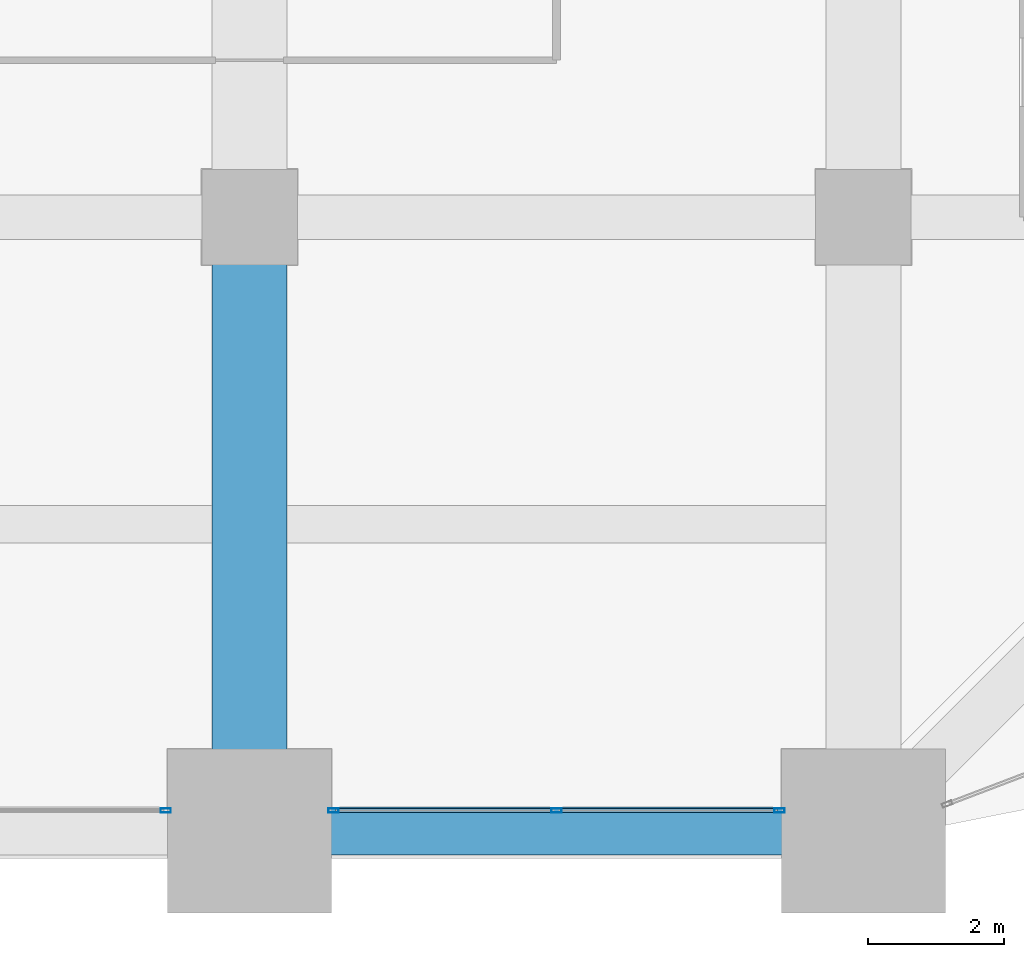
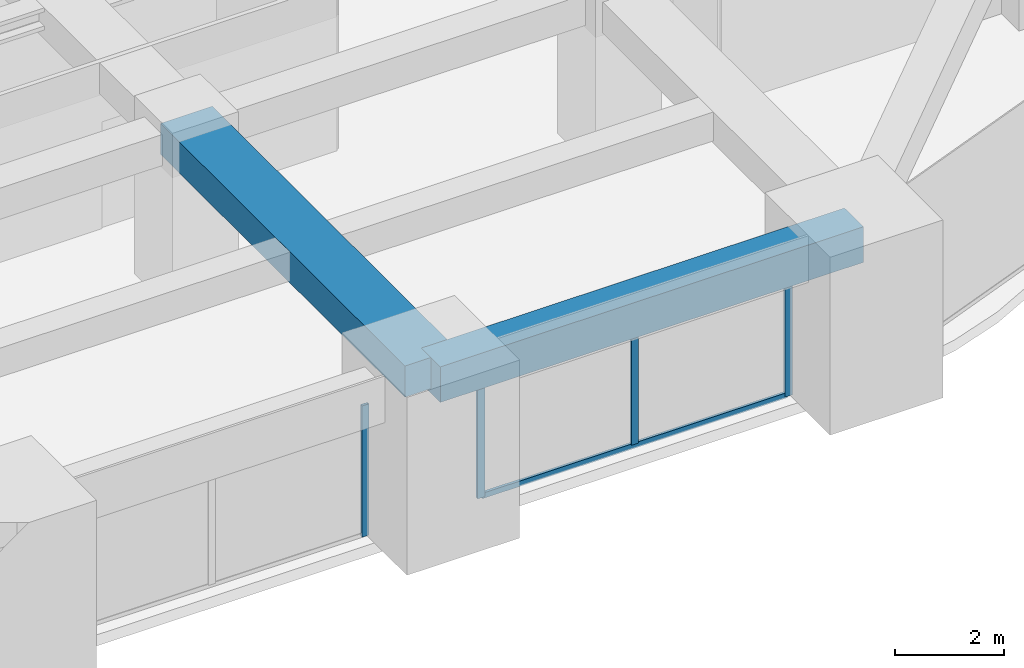
# One storey, part 13 of 32: 5 members, 2 beams, 2 elements without a shape of their own.
"""IFC4 building model written with IfcOpenShell, lengths in metres."""

import ifcopenshell
import ifcopenshell.guid

model = None  # the IFC model being written
_history = None  # IfcOwnerHistory: only IFC2X3 demands one
_inside = {}  # id of a spatial element -> (the spatial element, [elements in it])
_under = {}  # id of a project, library or spatial element -> (it, [spatial elements below it])
_declared = {}  # id of a project -> (the project, [libraries it declares])
_typed = {}  # id of a type object -> (the type object, [elements of that type])
_made_of = {}  # id of a material, layer set ... -> (it, [elements and type objects made of it])


def new_model(schema):
    """Start an empty IFC model of exactly this schema.

    Asked for "IFC4X3", IfcOpenShell would pick the latest addendum, in which some entities
    have other attributes; the version numbers below select the first issue.
    IFC2X3 requires an IfcOwnerHistory on every rooted entity: one is made here for all.
    """
    global model, _history
    if schema == "IFC4X3":
        model = ifcopenshell.file(schema_version=(4, 3, 0, 0))
    else:
        model = ifcopenshell.file(schema=schema)
    _inside.clear()
    _under.clear()
    _declared.clear()
    _typed.clear()
    _made_of.clear()
    _history = None
    if model.schema == "IFC2X3":
        org = make("IfcOrganization", Name="unknown")
        user = make(
            "IfcPersonAndOrganization",
            ThePerson=make("IfcPerson", FamilyName="unknown"),
            TheOrganization=org,
        )
        app = make(
            "IfcApplication",
            ApplicationDeveloper=org,
            Version="unknown",
            ApplicationFullName="unknown",
            ApplicationIdentifier="unknown",
        )
        _history = make(
            "IfcOwnerHistory",
            OwningUser=user,
            OwningApplication=app,
            ChangeAction="ADDED",
            CreationDate=0,
        )
    return model


def make(cls, **values):
    """One entity of the class cls with the attributes given. An attribute that is None is left unset."""
    return model.create_entity(
        cls, **{name: value for name, value in values.items() if value is not None}
    )


def rooted(cls, **values):
    """An entity with a GlobalId (a new one), such as an element, a storey or a relation."""
    return make(cls, GlobalId=ifcopenshell.guid.new(), OwnerHistory=_history, **values)


def si_unit(unit_type, name, prefix=None):
    """IfcSIUnit, for example si_unit("LENGTHUNIT", "METRE", prefix="MILLI")."""
    return make("IfcSIUnit", UnitType=unit_type, Prefix=prefix, Name=name)


def assignment(units):
    """IfcUnitAssignment: the units of a project."""
    return None if units is None else make("IfcUnitAssignment", Units=units)


def point(xyz):
    """IfcCartesianPoint."""
    return None if xyz is None else make("IfcCartesianPoint", Coordinates=xyz)


def direction(xyz):
    """IfcDirection."""
    return None if xyz is None else make("IfcDirection", DirectionRatios=xyz)


def frame(location, z_axis=None, x_axis=None):
    """IfcAxis2Placement3D, a coordinate frame: its origin and axes. An axis left out is left unset."""
    return make(
        "IfcAxis2Placement3D",
        Location=point(location),
        Axis=direction(z_axis),
        RefDirection=direction(x_axis),
    )


def frame_2d(location, x_axis=None):
    """IfcAxis2Placement2D, a coordinate frame in the plane: its origin and x axis."""
    return make(
        "IfcAxis2Placement2D", Location=point(location), RefDirection=direction(x_axis)
    )


def origin():
    """The frame at (0, 0, 0) with its axes left unset."""
    return frame((0.0, 0.0, 0.0))


def origin_2d():
    """The frame at (0, 0) in the plane with its x axis left unset."""
    return frame_2d((0.0, 0.0))


def place(relative_to, where):
    """IfcLocalPlacement: puts the frame where relative to a parent placement (None: the world)."""
    return make(
        "IfcLocalPlacement", PlacementRelTo=relative_to, RelativePlacement=where
    )


def context(
    kind, dimensions, precision=None, world=None, true_north=None, identifier=None
):
    """IfcGeometricRepresentationContext, for example the 3D "Model" context."""
    return make(
        "IfcGeometricRepresentationContext",
        ContextIdentifier=identifier,
        ContextType=kind,
        CoordinateSpaceDimension=dimensions,
        Precision=precision,
        WorldCoordinateSystem=world,
        TrueNorth=true_north,
    )


def subcontext(parent, identifier, kind, view, scale=None):
    """IfcGeometricRepresentationSubContext, for example "Body" below "Model"."""
    return make(
        "IfcGeometricRepresentationSubContext",
        ContextIdentifier=identifier,
        ContextType=kind,
        ParentContext=parent,
        TargetScale=scale,
        TargetView=view,
    )


def project(units=None, contexts=None):
    """IfcProject with its units and contexts."""
    return rooted(
        "IfcProject",
        Name="project",
        RepresentationContexts=contexts,
        UnitsInContext=assignment(units),
    )


def spatial(cls, under=None, at=None, **own):
    """A site, building, storey or space (cls), placed at a placement, below another one or the project."""
    s = rooted(cls, ObjectPlacement=at, **own)
    if under is not None:
        _under.setdefault(under.id(), (under, []))[1].append(s)
    return s


def profile(cls, at=None, kind="AREA", **sizes):
    """A parametric profile (cls). Its sizes go by their IFC names, for example OverallWidth=200.0."""
    return make(cls, ProfileType=kind, Position=at, **sizes)


def rectangle(**sizes):
    """IfcRectangleProfileDef."""
    return profile("IfcRectangleProfileDef", **sizes)


def hollow_rectangle(**sizes):
    """IfcRectangleHollowProfileDef."""
    return profile("IfcRectangleHollowProfileDef", **sizes)


def extrude(swept, where, along, depth):
    """IfcExtrudedAreaSolid: the profile swept, set in the frame where, extruded along a direction by depth."""
    return make(
        "IfcExtrudedAreaSolid",
        SweptArea=swept,
        Position=where,
        ExtrudedDirection=direction(along),
        Depth=depth,
    )


def shape(context_of_items, identifier, shape_type, items):
    """IfcShapeRepresentation: the items that make up one representation, for example the "Body"."""
    return make(
        "IfcShapeRepresentation",
        ContextOfItems=context_of_items,
        RepresentationIdentifier=identifier,
        RepresentationType=shape_type,
        Items=items,
    )


def material(Name=None, Category=None):
    """IfcMaterial."""
    return make("IfcMaterial", Name=Name, Category=Category)


def material_profile(
    of_material, cross_section, Name=None, Category=None, Priority=None
):
    """IfcMaterialProfile: a cross section and its material."""
    return make(
        "IfcMaterialProfile",
        Name=Name,
        Material=of_material,
        Profile=cross_section,
        Priority=Priority,
        Category=Category,
    )


def profile_set(profiles, Name=None, composite=None):
    """IfcMaterialProfileSet."""
    return make(
        "IfcMaterialProfileSet",
        Name=Name,
        MaterialProfiles=profiles,
        CompositeProfile=composite,
    )


def made_of(thing, what):
    """Note that an element or type object is made of a material, layer set ...; save() writes the relation."""
    if what is not None:
        _made_of.setdefault(what.id(), (what, []))[1].append(thing)
    return thing


def type_object(cls, material=None, **own):
    """A type object (cls), such as IfcWallType, which elements share."""
    return made_of(rooted(cls, **own), material)


def element(
    cls,
    number,
    at=None,
    inside=None,
    cuts=None,
    type_object=None,
    material=None,
    context=None,
    identifier="Body",
    shape_type=None,
    held_by="IfcProductDefinitionShape",
    body=None,
    shapes=None,
    **own,
):
    """One element of the class cls, such as IfcWall. Its Tag is "e" and its number.

    at: its placement. inside: the storey or other place that contains it. cuts: it is an
    opening in that element (IfcRelVoidsElement). A single representation is given by context,
    identifier, shape_type and body (its items); several are given by shapes. held_by: the class
    of the entity that holds the representations. save() writes the other relations.
    """
    e = rooted(cls, Tag="e%d" % number, ObjectPlacement=at, **own)
    if body is not None:
        shapes = [shape(context, identifier, shape_type, body)]
    if shapes is not None:
        e.Representation = make(held_by, Representations=shapes)
    if inside is not None:
        _inside.setdefault(inside.id(), (inside, []))[1].append(e)
    if cuts is not None:
        rooted(
            "IfcRelVoidsElement", RelatingBuildingElement=cuts, RelatedOpeningElement=e
        )
    if type_object is not None:
        _typed.setdefault(type_object.id(), (type_object, []))[1].append(e)
    return made_of(e, material)


def aggregate(whole, parts):
    """IfcRelAggregates: a whole, such as a stair, and the parts it consists of."""
    return rooted("IfcRelAggregates", RelatingObject=whole, RelatedObjects=parts)


def save(model, path):
    """Write the relations noted so far, then the file.

    IfcRelAggregates (storeys below a building ...), IfcRelContainedInSpatialStructure (elements
    in a storey), IfcRelDefinesByType, IfcRelAssociatesMaterial and IfcRelDeclares: one each for
    every whole, place, type object, material and project.
    """
    for whole, parts in _under.values():
        aggregate(whole, parts)
    for where, things in _inside.values():
        rooted(
            "IfcRelContainedInSpatialStructure",
            RelatedElements=things,
            RelatingStructure=where,
        )
    for kind, things in _typed.values():
        rooted("IfcRelDefinesByType", RelatedObjects=things, RelatingType=kind)
    for what, things in _made_of.values():
        rooted("IfcRelAssociatesMaterial", RelatedObjects=things, RelatingMaterial=what)
    for by, libraries in _declared.values():
        rooted("IfcRelDeclares", RelatingContext=by, RelatedDefinitions=libraries)
    model.write(path)


model = new_model("IFC4")

# Units and contexts
model_context = context("Model", 3, precision=1e-05, world=origin(), true_north=direction((0.0, 1.0)))
body_context = subcontext(model_context, "Body", "Model", "MODEL_VIEW")
ifc_project = project(units=[si_unit("LENGTHUNIT", "METRE"), si_unit("AREAUNIT", "SQUARE_METRE"), si_unit("VOLUMEUNIT", "CUBIC_METRE"), si_unit("PLANEANGLEUNIT", "RADIAN"), si_unit("MASSUNIT", "GRAM", prefix="KILO")], contexts=[model_context])

# Site, building, storey
site_placement = place(None, origin())
site = spatial("IfcSite", under=ifc_project, at=site_placement, CompositionType="ELEMENT")
building_placement = place(site_placement, origin())
building = spatial("IfcBuilding", under=site, at=building_placement, Name="Zorevar Civic Tower", CompositionType="ELEMENT")
storey_placement = place(building_placement, frame((0.0, 0.0, 198.199951171875)))
storey = spatial("IfcBuildingStorey", under=building, at=storey_placement, Name="L48", CompositionType="ELEMENT", Elevation=198.199951171875)

# Beam
ifc_material_1 = material(Name="Concrete C50/60", Category="concrete")
ifc_material_profile_1 = material_profile(ifc_material_1, rectangle(XDim=1.10009765625, YDim=0.699951171875, at=origin_2d()), Name="RC 1100x700")
ifc_profile_set_1 = profile_set([ifc_material_profile_1], Name="Concrete C50/60")
beam_type_1 = type_object("IfcBeamType", Name="Beam RC 1100x700", PredefinedType="BEAM", material=ifc_profile_set_1)
beam_1_placement = place(storey_placement, frame((36.0, 0.0, 3.400146484375), z_axis=(0.0, 1.0, 0.0), x_axis=(-1.0, 0.0, 0.0)))
element("IfcBeam", 1, at=beam_1_placement, inside=storey, type_object=beam_type_1, Name="Girder L49", PredefinedType="BEAM", context=body_context, shape_type="SweptSolid", body=[
    extrude(rectangle(XDim=1.10009765625, YDim=0.699951171875, at=origin_2d()), origin(), (0.0, 0.0, 1.0), 9.0),
])

# Curtain wall, member
ifc_material_2 = material(Name="Dark grey solar-control glass in black aluminium frame", Category="aluminium")
curtain_wall_type = type_object("IfcCurtainWallType", Name="Curtain wall CW4 high zone", PredefinedType="NOTDEFINED", material=ifc_material_2)
curtain_wall_1_placement = place(storey_placement, origin())
curtain_wall_1 = element("IfcCurtainWall", 2, at=curtain_wall_1_placement, inside=storey, type_object=curtain_wall_type, Name="CW4 L48", PredefinedType="NOTDEFINED")
ifc_material_3 = material(Name="Aluminium, black anodised", Category="aluminium")
ifc_material_profile_2 = material_profile(ifc_material_3, hollow_rectangle(XDim=0.06005859375, YDim=0.14990234375, WallThickness=0.00390625, at=origin_2d()), Name="AL 150x60x4")
ifc_profile_set_2 = profile_set([ifc_material_profile_2], Name="Aluminium, black anodised")
member_type_1 = type_object("IfcMemberType", Name="CW4 mullion AL 150x60x4", PredefinedType="MULLION", material=ifc_profile_set_2)
member_1_placement = place(storey_placement, frame((34.77001953125, 0.300048828125, 0.0), z_axis=(0.0, 0.0, 1.0), x_axis=(0.0, 1.0, 0.0)))
member_1 = element("IfcMember", 3, at=member_1_placement, type_object=member_type_1, Name="CW4 mullion 3", PredefinedType="MULLION", context=body_context, shape_type="SweptSolid", body=[
    extrude(hollow_rectangle(XDim=0.06005859375, YDim=0.14990234375, WallThickness=0.00390625, at=origin_2d()), origin(), (0.0, 0.0, 1.0), 2.949951171875),
])
aggregate(curtain_wall_1, [member_1])

# Curtain wall, members
curtain_wall_2_placement = place(storey_placement, origin())
curtain_wall_2 = element("IfcCurtainWall", 4, at=curtain_wall_2_placement, inside=storey, type_object=curtain_wall_type, Name="CW4 L48", PredefinedType="NOTDEFINED")
member_2_placement = place(storey_placement, frame((37.22998046875, 0.300048828125, 0.0), z_axis=(0.0, 0.0, 1.0), x_axis=(0.0, 1.0, 0.0)))
member_2 = element("IfcMember", 5, at=member_2_placement, type_object=member_type_1, Name="CW4 mullion 1", PredefinedType="MULLION", context=body_context, shape_type="SweptSolid", body=[
    extrude(hollow_rectangle(XDim=0.06005859375, YDim=0.14990234375, WallThickness=0.00390625, at=origin_2d()), origin(), (0.0, 0.0, 1.0), 2.949951171875),
])
member_3_placement = place(storey_placement, frame((40.5, 0.300048828125, 0.06005859375), z_axis=(0.0, 0.0, 1.0), x_axis=(0.0, 1.0, 0.0)))
member_3 = element("IfcMember", 6, at=member_3_placement, type_object=member_type_1, Name="CW4 mullion 2", PredefinedType="MULLION", context=body_context, shape_type="SweptSolid", body=[
    extrude(hollow_rectangle(XDim=0.06005859375, YDim=0.14990234375, WallThickness=0.00390625, at=origin_2d()), origin(), (0.0, 0.0, 1.0), 2.889892578125),
])
member_4_placement = place(storey_placement, frame((43.77001953125, 0.300048828125, 0.0), z_axis=(0.0, 0.0, 1.0), x_axis=(0.0, 1.0, 0.0)))
member_4 = element("IfcMember", 7, at=member_4_placement, type_object=member_type_1, Name="CW4 mullion 3", PredefinedType="MULLION", context=body_context, shape_type="SweptSolid", body=[
    extrude(hollow_rectangle(XDim=0.06005859375, YDim=0.14990234375, WallThickness=0.00390625, at=origin_2d()), origin(), (0.0, 0.0, 1.0), 2.949951171875),
])
ifc_material_4 = material(Name="Aluminium, black anodised", Category="aluminium")
ifc_material_profile_3 = material_profile(ifc_material_4, hollow_rectangle(XDim=0.06005859375, YDim=0.1201171875, WallThickness=0.0029296875, at=origin_2d()), Name="AL 120x60x3")
ifc_profile_set_3 = profile_set([ifc_material_profile_3], Name="Aluminium, black anodised")
member_type_2 = type_object("IfcMemberType", Name="CW4 transom AL 120x60x3", PredefinedType="USERDEFINED", material=ifc_profile_set_3)
member_5_placement = place(storey_placement, frame((37.260009765625, 0.300048828125, 0.030029296875), z_axis=(1.0, 0.0, 0.0), x_axis=(0.0, 1.0, 0.0)))
member_5 = element("IfcMember", 8, at=member_5_placement, type_object=member_type_2, Name="CW4 sill transom", ObjectType="TRANSOM", PredefinedType="USERDEFINED", context=body_context, shape_type="SweptSolid", body=[
    extrude(hollow_rectangle(XDim=0.06005859375, YDim=0.1201171875, WallThickness=0.0029296875, at=origin_2d()), origin(), (0.0, 0.0, 1.0), 6.47998046875),
])
aggregate(curtain_wall_2, [member_2, member_3, member_4, member_5])

# Beam
ifc_material_5 = material(Name="Concrete C50/60", Category="concrete")
ifc_material_profile_4 = material_profile(ifc_material_5, rectangle(XDim=0.699951171875, YDim=0.800048828125, at=origin_2d()), Name="RC 700x800")
ifc_profile_set_4 = profile_set([ifc_material_profile_4], Name="Concrete C50/60")
beam_type_2 = type_object("IfcBeamType", Name="Edge beam RC 700x800", PredefinedType="SPANDREL", material=ifc_profile_set_4)
beam_2_placement = place(storey_placement, frame((36.0, 0.0, 3.35009765625), z_axis=(1.0, 0.0, 0.0), x_axis=(0.0, 1.0, 0.0)))
element("IfcBeam", 9, at=beam_2_placement, inside=storey, type_object=beam_type_2, Name="Edge beam L49", PredefinedType="SPANDREL", context=body_context, shape_type="SweptSolid", body=[
    extrude(rectangle(XDim=0.699951171875, YDim=0.800048828125, at=origin_2d()), origin(), (0.0, 0.0, 1.0), 9.0),
])

save(model, "model.ifc")
